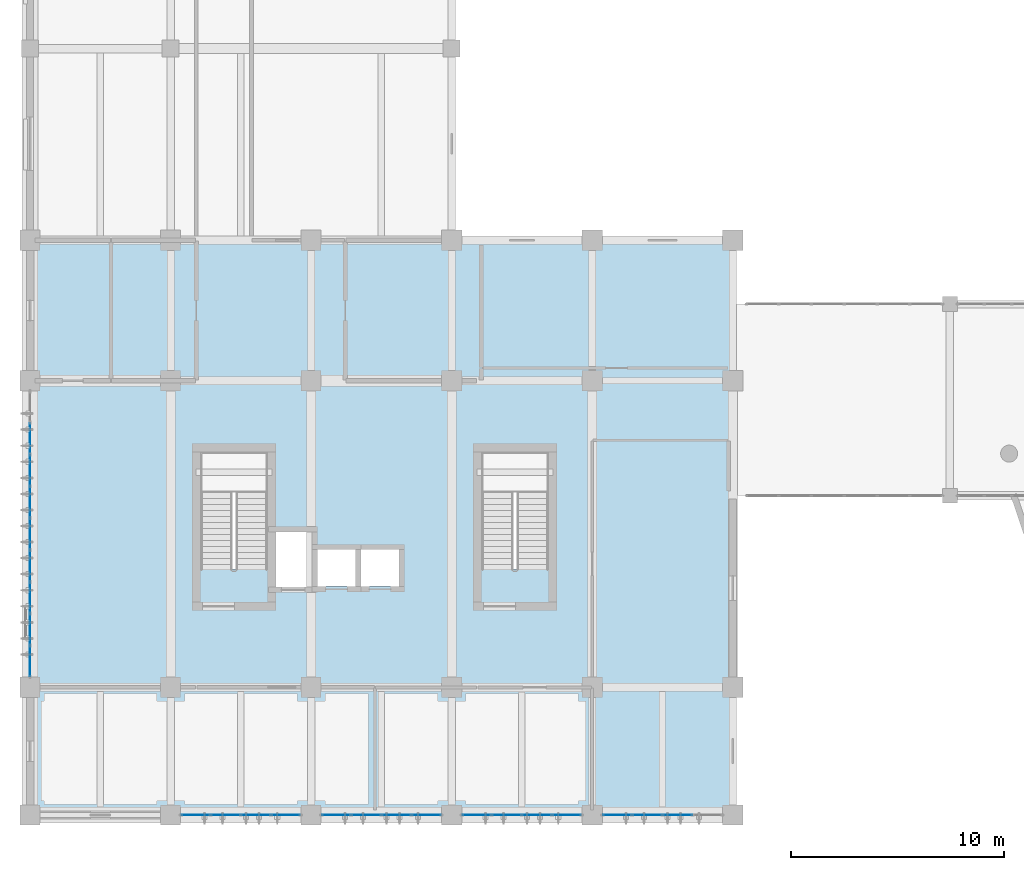
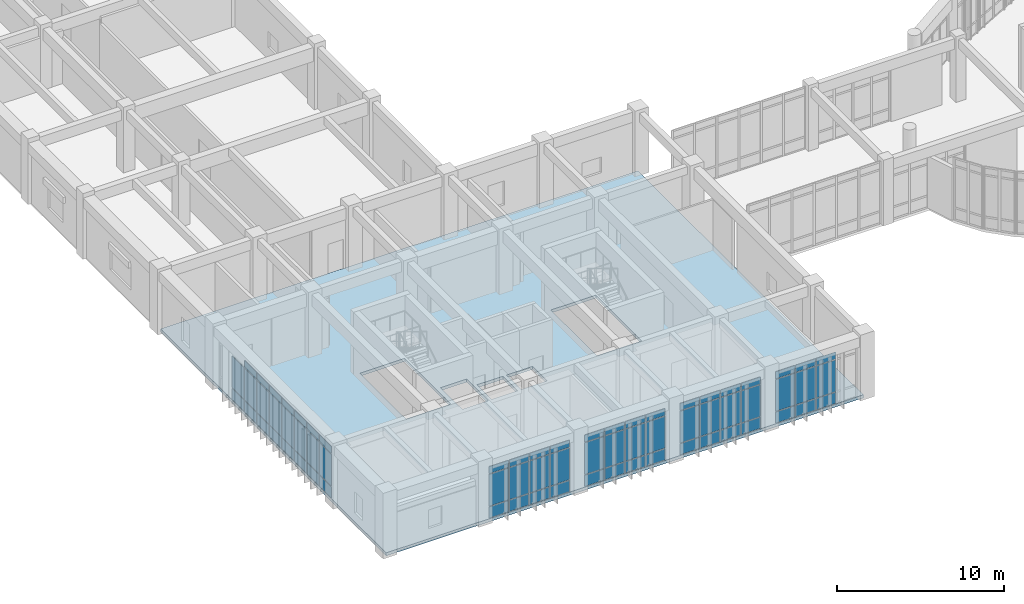
# One storey, part 36 of 65: 68 plates, 1 slab, 5 elements without a shape of their own.
"""IFC4 building model written with IfcOpenShell, lengths in metres."""

from ifc_helpers import new_model, si_unit, direction, frame, origin, origin_2d, place, context, subcontext, project, spatial, polyline, rectangle, outline, extrude, material, layer, layer_set, type_object, element, aggregate, save


model = new_model("IFC4")

# Units and contexts
model_context = context("Model", 3, precision=1e-05, world=origin(), true_north=direction((0.0, 1.0)))
body_context = subcontext(model_context, "Body", "Model", "MODEL_VIEW")
ifc_project = project(units=[si_unit("LENGTHUNIT", "METRE"), si_unit("AREAUNIT", "SQUARE_METRE"), si_unit("VOLUMEUNIT", "CUBIC_METRE"), si_unit("PLANEANGLEUNIT", "RADIAN"), si_unit("MASSUNIT", "GRAM", prefix="KILO")], contexts=[model_context])

# Site, building, storey
site_placement = place(None, origin())
site = spatial("IfcSite", under=ifc_project, at=site_placement, CompositionType="ELEMENT")
building_placement = place(site_placement, origin())
building = spatial("IfcBuilding", under=site, at=building_placement, Name="Miralva Faculty of Natural Sciences", CompositionType="ELEMENT")
storey_placement = place(building_placement, frame((0.0, 0.0, 10.199951171875)))
storey = spatial("IfcBuildingStorey", under=building, at=storey_placement, Name="L02", CompositionType="ELEMENT", Elevation=10.199951171875)

# Curtain wall, plates
ifc_material_1 = material(Name="Laminated solar-control glass", Category="glass")
ifc_layer_1 = layer(ifc_material_1, 0.179931640625, Name="CW-TWR-L01")
ifc_layer_set_1 = layer_set([ifc_layer_1], Name="Laminated solar-control glass")
curtain_wall_type = type_object("IfcCurtainWallType", Name="CW-TWR-L01", PredefinedType="USERDEFINED", material=ifc_layer_set_1)
curtain_wall_1_placement = place(storey_placement, origin())
curtain_wall_1 = element("IfcCurtainWall", 1, at=curtain_wall_1_placement, inside=storey, type_object=curtain_wall_type, Name="Curtain wall CW-13 L02-219", ObjectType="UNITISED CURTAIN WALL", PredefinedType="USERDEFINED")
ifc_layer_2 = layer(ifc_material_1, 0.028076171875, Name="PNL-P01")
ifc_layer_set_2 = layer_set([ifc_layer_2], Name="Laminated solar-control glass")
plate_type = type_object("IfcPlateType", Name="PNL-P01", PredefinedType="CURTAIN_PANEL", material=ifc_layer_set_2)
plate_1_placement = place(storey_placement, frame((10.78125, 3.0, 0.06005859375), z_axis=(0.0, 0.0, 1.0), x_axis=(1.0, 0.0, 0.0)))
plate_1 = element("IfcPlate", 2, at=plate_1_placement, type_object=plate_type, Name="CW-13 panel 1.1", PredefinedType="CURTAIN_PANEL", context=body_context, shape_type="SweptSolid", body=[
    extrude(rectangle(XDim=1.322509765625, YDim=0.028076171875, at=origin_2d()), origin(), (0.0, 0.0, 1.0), 0.81005859375),
])
plate_2_placement = place(storey_placement, frame((10.78125, 3.0, 0.93017578125), z_axis=(0.0, 0.0, 1.0), x_axis=(1.0, 0.0, 0.0)))
plate_2 = element("IfcPlate", 3, at=plate_2_placement, type_object=plate_type, Name="CW-13 panel 1.2", PredefinedType="CURTAIN_PANEL", context=body_context, shape_type="SweptSolid", body=[
    extrude(rectangle(XDim=1.322509765625, YDim=0.028076171875, at=origin_2d()), origin(), (0.0, 0.0, 1.0), 2.31494140625),
])
plate_3_placement = place(storey_placement, frame((10.78125, 3.0, 3.30517578125), z_axis=(0.0, 0.0, 1.0), x_axis=(1.0, 0.0, 0.0)))
plate_3 = element("IfcPlate", 4, at=plate_3_placement, type_object=plate_type, Name="CW-13 panel 1.3", PredefinedType="CURTAIN_PANEL", context=body_context, shape_type="SweptSolid", body=[
    extrude(rectangle(XDim=1.322509765625, YDim=0.028076171875, at=origin_2d()), origin(), (0.0, 0.0, 1.0), 0.510009765625),
])
plate_4_placement = place(storey_placement, frame((12.18505859375, 3.0, 0.06005859375), z_axis=(0.0, 0.0, 1.0), x_axis=(1.0, 0.0, 0.0)))
plate_4 = element("IfcPlate", 5, at=plate_4_placement, type_object=plate_type, Name="CW-13 panel 2.1", PredefinedType="CURTAIN_PANEL", context=body_context, shape_type="SweptSolid", body=[
    extrude(rectangle(XDim=1.35498046875, YDim=0.028076171875, at=origin_2d()), origin(), (0.0, 0.0, 1.0), 0.81005859375),
])
plate_5_placement = place(storey_placement, frame((12.18505859375, 3.0, 0.93017578125), z_axis=(0.0, 0.0, 1.0), x_axis=(1.0, 0.0, 0.0)))
plate_5 = element("IfcPlate", 6, at=plate_5_placement, type_object=plate_type, Name="CW-13 panel 2.2", PredefinedType="CURTAIN_PANEL", context=body_context, shape_type="SweptSolid", body=[
    extrude(rectangle(XDim=1.35498046875, YDim=0.028076171875, at=origin_2d()), origin(), (0.0, 0.0, 1.0), 2.31494140625),
])
plate_6_placement = place(storey_placement, frame((12.18505859375, 3.0, 3.30517578125), z_axis=(0.0, 0.0, 1.0), x_axis=(1.0, 0.0, 0.0)))
plate_6 = element("IfcPlate", 7, at=plate_6_placement, type_object=plate_type, Name="CW-13 panel 2.3", PredefinedType="CURTAIN_PANEL", context=body_context, shape_type="SweptSolid", body=[
    extrude(rectangle(XDim=1.35498046875, YDim=0.028076171875, at=origin_2d()), origin(), (0.0, 0.0, 1.0), 0.510009765625),
])
plate_7_placement = place(storey_placement, frame((13.60498046875, 3.0, 0.06005859375), z_axis=(0.0, 0.0, 1.0), x_axis=(1.0, 0.0, 0.0)))
plate_7 = element("IfcPlate", 8, at=plate_7_placement, type_object=plate_type, Name="CW-13 panel 3.1", PredefinedType="CURTAIN_PANEL", context=body_context, shape_type="SweptSolid", body=[
    extrude(rectangle(XDim=1.35498046875, YDim=0.028076171875, at=origin_2d()), origin(), (0.0, 0.0, 1.0), 0.81005859375),
])
plate_8_placement = place(storey_placement, frame((13.60498046875, 3.0, 0.93017578125), z_axis=(0.0, 0.0, 1.0), x_axis=(1.0, 0.0, 0.0)))
plate_8 = element("IfcPlate", 9, at=plate_8_placement, type_object=plate_type, Name="CW-13 panel 3.2", PredefinedType="CURTAIN_PANEL", context=body_context, shape_type="SweptSolid", body=[
    extrude(rectangle(XDim=1.35498046875, YDim=0.028076171875, at=origin_2d()), origin(), (0.0, 0.0, 1.0), 2.31494140625),
])
plate_9_placement = place(storey_placement, frame((13.60498046875, 3.0, 3.30517578125), z_axis=(0.0, 0.0, 1.0), x_axis=(1.0, 0.0, 0.0)))
plate_9 = element("IfcPlate", 10, at=plate_9_placement, type_object=plate_type, Name="CW-13 panel 3.3", PredefinedType="CURTAIN_PANEL", context=body_context, shape_type="SweptSolid", body=[
    extrude(rectangle(XDim=1.35498046875, YDim=0.028076171875, at=origin_2d()), origin(), (0.0, 0.0, 1.0), 0.510009765625),
])
plate_10_placement = place(storey_placement, frame((15.0087890625, 3.0, 0.06005859375), z_axis=(0.0, 0.0, 1.0), x_axis=(1.0, 0.0, 0.0)))
plate_10 = element("IfcPlate", 11, at=plate_10_placement, type_object=plate_type, Name="CW-13 panel 4.1", PredefinedType="CURTAIN_PANEL", context=body_context, shape_type="SweptSolid", body=[
    extrude(rectangle(XDim=1.322509765625, YDim=0.028076171875, at=origin_2d()), origin(), (0.0, 0.0, 1.0), 0.81005859375),
])
plate_11_placement = place(storey_placement, frame((15.0087890625, 3.0, 0.93017578125), z_axis=(0.0, 0.0, 1.0), x_axis=(1.0, 0.0, 0.0)))
plate_11 = element("IfcPlate", 12, at=plate_11_placement, type_object=plate_type, Name="CW-13 panel 4.2", PredefinedType="CURTAIN_PANEL", context=body_context, shape_type="SweptSolid", body=[
    extrude(rectangle(XDim=1.322509765625, YDim=0.028076171875, at=origin_2d()), origin(), (0.0, 0.0, 1.0), 2.31494140625),
])
plate_12_placement = place(storey_placement, frame((15.0087890625, 3.0, 3.30517578125), z_axis=(0.0, 0.0, 1.0), x_axis=(1.0, 0.0, 0.0)))
plate_12 = element("IfcPlate", 13, at=plate_12_placement, type_object=plate_type, Name="CW-13 panel 4.3", PredefinedType="CURTAIN_PANEL", context=body_context, shape_type="SweptSolid", body=[
    extrude(rectangle(XDim=1.322509765625, YDim=0.028076171875, at=origin_2d()), origin(), (0.0, 0.0, 1.0), 0.510009765625),
])
aggregate(curtain_wall_1, [plate_1, plate_2, plate_3, plate_4, plate_5, plate_6, plate_7, plate_8, plate_9, plate_10, plate_11, plate_12])

curtain_wall_2_placement = place(storey_placement, origin())
curtain_wall_2 = element("IfcCurtainWall", 14, at=curtain_wall_2_placement, inside=storey, type_object=curtain_wall_type, Name="Curtain wall CW-13 L02-220", ObjectType="UNITISED CURTAIN WALL", PredefinedType="USERDEFINED")
plate_13_placement = place(storey_placement, frame((17.382568359375, 3.0, 0.06005859375), z_axis=(0.0, 0.0, 1.0), x_axis=(1.0, 0.0, 0.0)))
plate_13 = element("IfcPlate", 15, at=plate_13_placement, type_object=plate_type, Name="CW-13 panel 1.1", PredefinedType="CURTAIN_PANEL", context=body_context, shape_type="SweptSolid", body=[
    extrude(rectangle(XDim=1.324951171875, YDim=0.028076171875, at=origin_2d()), origin(), (0.0, 0.0, 1.0), 0.81005859375),
])
plate_14_placement = place(storey_placement, frame((17.382568359375, 3.0, 0.93017578125), z_axis=(0.0, 0.0, 1.0), x_axis=(1.0, 0.0, 0.0)))
plate_14 = element("IfcPlate", 16, at=plate_14_placement, type_object=plate_type, Name="CW-13 panel 1.2", PredefinedType="CURTAIN_PANEL", context=body_context, shape_type="SweptSolid", body=[
    extrude(rectangle(XDim=1.324951171875, YDim=0.028076171875, at=origin_2d()), origin(), (0.0, 0.0, 1.0), 2.31494140625),
])
plate_15_placement = place(storey_placement, frame((17.382568359375, 3.0, 3.30517578125), z_axis=(0.0, 0.0, 1.0), x_axis=(1.0, 0.0, 0.0)))
plate_15 = element("IfcPlate", 17, at=plate_15_placement, type_object=plate_type, Name="CW-13 panel 1.3", PredefinedType="CURTAIN_PANEL", context=body_context, shape_type="SweptSolid", body=[
    extrude(rectangle(XDim=1.324951171875, YDim=0.028076171875, at=origin_2d()), origin(), (0.0, 0.0, 1.0), 0.510009765625),
])
plate_16_placement = place(storey_placement, frame((18.788818359375, 3.0, 0.06005859375), z_axis=(0.0, 0.0, 1.0), x_axis=(1.0, 0.0, 0.0)))
plate_16 = element("IfcPlate", 18, at=plate_16_placement, type_object=plate_type, Name="CW-13 panel 2.1", PredefinedType="CURTAIN_PANEL", context=body_context, shape_type="SweptSolid", body=[
    extrude(rectangle(XDim=1.357421875, YDim=0.028076171875, at=origin_2d()), origin(), (0.0, 0.0, 1.0), 0.81005859375),
])
plate_17_placement = place(storey_placement, frame((18.788818359375, 3.0, 0.93017578125), z_axis=(0.0, 0.0, 1.0), x_axis=(1.0, 0.0, 0.0)))
plate_17 = element("IfcPlate", 19, at=plate_17_placement, type_object=plate_type, Name="CW-13 panel 2.2", PredefinedType="CURTAIN_PANEL", context=body_context, shape_type="SweptSolid", body=[
    extrude(rectangle(XDim=1.357421875, YDim=0.028076171875, at=origin_2d()), origin(), (0.0, 0.0, 1.0), 2.31494140625),
])
plate_18_placement = place(storey_placement, frame((18.788818359375, 3.0, 3.30517578125), z_axis=(0.0, 0.0, 1.0), x_axis=(1.0, 0.0, 0.0)))
plate_18 = element("IfcPlate", 20, at=plate_18_placement, type_object=plate_type, Name="CW-13 panel 2.3", PredefinedType="CURTAIN_PANEL", context=body_context, shape_type="SweptSolid", body=[
    extrude(rectangle(XDim=1.357421875, YDim=0.028076171875, at=origin_2d()), origin(), (0.0, 0.0, 1.0), 0.510009765625),
])
plate_19_placement = place(storey_placement, frame((20.211181640625, 3.0, 0.06005859375), z_axis=(0.0, 0.0, 1.0), x_axis=(1.0, 0.0, 0.0)))
plate_19 = element("IfcPlate", 21, at=plate_19_placement, type_object=plate_type, Name="CW-13 panel 3.1", PredefinedType="CURTAIN_PANEL", context=body_context, shape_type="SweptSolid", body=[
    extrude(rectangle(XDim=1.357421875, YDim=0.028076171875, at=origin_2d()), origin(), (0.0, 0.0, 1.0), 0.81005859375),
])
plate_20_placement = place(storey_placement, frame((20.211181640625, 3.0, 0.93017578125), z_axis=(0.0, 0.0, 1.0), x_axis=(1.0, 0.0, 0.0)))
plate_20 = element("IfcPlate", 22, at=plate_20_placement, type_object=plate_type, Name="CW-13 panel 3.2", PredefinedType="CURTAIN_PANEL", context=body_context, shape_type="SweptSolid", body=[
    extrude(rectangle(XDim=1.357421875, YDim=0.028076171875, at=origin_2d()), origin(), (0.0, 0.0, 1.0), 2.31494140625),
])
plate_21_placement = place(storey_placement, frame((20.211181640625, 3.0, 3.30517578125), z_axis=(0.0, 0.0, 1.0), x_axis=(1.0, 0.0, 0.0)))
plate_21 = element("IfcPlate", 23, at=plate_21_placement, type_object=plate_type, Name="CW-13 panel 3.3", PredefinedType="CURTAIN_PANEL", context=body_context, shape_type="SweptSolid", body=[
    extrude(rectangle(XDim=1.357421875, YDim=0.028076171875, at=origin_2d()), origin(), (0.0, 0.0, 1.0), 0.510009765625),
])
plate_22_placement = place(storey_placement, frame((21.617431640625, 3.0, 0.06005859375), z_axis=(0.0, 0.0, 1.0), x_axis=(1.0, 0.0, 0.0)))
plate_22 = element("IfcPlate", 24, at=plate_22_placement, type_object=plate_type, Name="CW-13 panel 4.1", PredefinedType="CURTAIN_PANEL", context=body_context, shape_type="SweptSolid", body=[
    extrude(rectangle(XDim=1.324951171875, YDim=0.028076171875, at=origin_2d()), origin(), (0.0, 0.0, 1.0), 0.81005859375),
])
plate_23_placement = place(storey_placement, frame((21.617431640625, 3.0, 0.93017578125), z_axis=(0.0, 0.0, 1.0), x_axis=(1.0, 0.0, 0.0)))
plate_23 = element("IfcPlate", 25, at=plate_23_placement, type_object=plate_type, Name="CW-13 panel 4.2", PredefinedType="CURTAIN_PANEL", context=body_context, shape_type="SweptSolid", body=[
    extrude(rectangle(XDim=1.324951171875, YDim=0.028076171875, at=origin_2d()), origin(), (0.0, 0.0, 1.0), 2.31494140625),
])
plate_24_placement = place(storey_placement, frame((21.617431640625, 3.0, 3.30517578125), z_axis=(0.0, 0.0, 1.0), x_axis=(1.0, 0.0, 0.0)))
plate_24 = element("IfcPlate", 26, at=plate_24_placement, type_object=plate_type, Name="CW-13 panel 4.3", PredefinedType="CURTAIN_PANEL", context=body_context, shape_type="SweptSolid", body=[
    extrude(rectangle(XDim=1.324951171875, YDim=0.028076171875, at=origin_2d()), origin(), (0.0, 0.0, 1.0), 0.510009765625),
])
aggregate(curtain_wall_2, [plate_13, plate_14, plate_15, plate_16, plate_17, plate_18, plate_19, plate_20, plate_21, plate_22, plate_23, plate_24])

curtain_wall_3_placement = place(storey_placement, origin())
curtain_wall_3 = element("IfcCurtainWall", 27, at=curtain_wall_3_placement, inside=storey, type_object=curtain_wall_type, Name="Curtain wall CW-13 L02-221", ObjectType="UNITISED CURTAIN WALL", PredefinedType="USERDEFINED")
plate_25_placement = place(storey_placement, frame((23.981201171875, 3.0, 0.06005859375), z_axis=(0.0, 0.0, 1.0), x_axis=(1.0, 0.0, 0.0)))
plate_25 = element("IfcPlate", 28, at=plate_25_placement, type_object=plate_type, Name="CW-13 panel 1.1", PredefinedType="CURTAIN_PANEL", context=body_context, shape_type="SweptSolid", body=[
    extrude(rectangle(XDim=1.322509765625, YDim=0.028076171875, at=origin_2d()), origin(), (0.0, 0.0, 1.0), 0.81005859375),
])
plate_26_placement = place(storey_placement, frame((23.981201171875, 3.0, 0.93017578125), z_axis=(0.0, 0.0, 1.0), x_axis=(1.0, 0.0, 0.0)))
plate_26 = element("IfcPlate", 29, at=plate_26_placement, type_object=plate_type, Name="CW-13 panel 1.2", PredefinedType="CURTAIN_PANEL", context=body_context, shape_type="SweptSolid", body=[
    extrude(rectangle(XDim=1.322509765625, YDim=0.028076171875, at=origin_2d()), origin(), (0.0, 0.0, 1.0), 2.31494140625),
])
plate_27_placement = place(storey_placement, frame((23.981201171875, 3.0, 3.30517578125), z_axis=(0.0, 0.0, 1.0), x_axis=(1.0, 0.0, 0.0)))
plate_27 = element("IfcPlate", 30, at=plate_27_placement, type_object=plate_type, Name="CW-13 panel 1.3", PredefinedType="CURTAIN_PANEL", context=body_context, shape_type="SweptSolid", body=[
    extrude(rectangle(XDim=1.322509765625, YDim=0.028076171875, at=origin_2d()), origin(), (0.0, 0.0, 1.0), 0.510009765625),
])
plate_28_placement = place(storey_placement, frame((25.385009765625, 3.0, 0.06005859375), z_axis=(0.0, 0.0, 1.0), x_axis=(1.0, 0.0, 0.0)))
plate_28 = element("IfcPlate", 31, at=plate_28_placement, type_object=plate_type, Name="CW-13 panel 2.1", PredefinedType="CURTAIN_PANEL", context=body_context, shape_type="SweptSolid", body=[
    extrude(rectangle(XDim=1.35498046875, YDim=0.028076171875, at=origin_2d()), origin(), (0.0, 0.0, 1.0), 0.81005859375),
])
plate_29_placement = place(storey_placement, frame((25.385009765625, 3.0, 0.93017578125), z_axis=(0.0, 0.0, 1.0), x_axis=(1.0, 0.0, 0.0)))
plate_29 = element("IfcPlate", 32, at=plate_29_placement, type_object=plate_type, Name="CW-13 panel 2.2", PredefinedType="CURTAIN_PANEL", context=body_context, shape_type="SweptSolid", body=[
    extrude(rectangle(XDim=1.35498046875, YDim=0.028076171875, at=origin_2d()), origin(), (0.0, 0.0, 1.0), 2.31494140625),
])
plate_30_placement = place(storey_placement, frame((25.385009765625, 3.0, 3.30517578125), z_axis=(0.0, 0.0, 1.0), x_axis=(1.0, 0.0, 0.0)))
plate_30 = element("IfcPlate", 33, at=plate_30_placement, type_object=plate_type, Name="CW-13 panel 2.3", PredefinedType="CURTAIN_PANEL", context=body_context, shape_type="SweptSolid", body=[
    extrude(rectangle(XDim=1.35498046875, YDim=0.028076171875, at=origin_2d()), origin(), (0.0, 0.0, 1.0), 0.510009765625),
])
plate_31_placement = place(storey_placement, frame((26.804931640625, 3.0, 0.06005859375), z_axis=(0.0, 0.0, 1.0), x_axis=(1.0, 0.0, 0.0)))
plate_31 = element("IfcPlate", 34, at=plate_31_placement, type_object=plate_type, Name="CW-13 panel 3.1", PredefinedType="CURTAIN_PANEL", context=body_context, shape_type="SweptSolid", body=[
    extrude(rectangle(XDim=1.35498046875, YDim=0.028076171875, at=origin_2d()), origin(), (0.0, 0.0, 1.0), 0.81005859375),
])
plate_32_placement = place(storey_placement, frame((26.804931640625, 3.0, 0.93017578125), z_axis=(0.0, 0.0, 1.0), x_axis=(1.0, 0.0, 0.0)))
plate_32 = element("IfcPlate", 35, at=plate_32_placement, type_object=plate_type, Name="CW-13 panel 3.2", PredefinedType="CURTAIN_PANEL", context=body_context, shape_type="SweptSolid", body=[
    extrude(rectangle(XDim=1.35498046875, YDim=0.028076171875, at=origin_2d()), origin(), (0.0, 0.0, 1.0), 2.31494140625),
])
plate_33_placement = place(storey_placement, frame((26.804931640625, 3.0, 3.30517578125), z_axis=(0.0, 0.0, 1.0), x_axis=(1.0, 0.0, 0.0)))
plate_33 = element("IfcPlate", 36, at=plate_33_placement, type_object=plate_type, Name="CW-13 panel 3.3", PredefinedType="CURTAIN_PANEL", context=body_context, shape_type="SweptSolid", body=[
    extrude(rectangle(XDim=1.35498046875, YDim=0.028076171875, at=origin_2d()), origin(), (0.0, 0.0, 1.0), 0.510009765625),
])
plate_34_placement = place(storey_placement, frame((28.208740234375, 3.0, 0.06005859375), z_axis=(0.0, 0.0, 1.0), x_axis=(1.0, 0.0, 0.0)))
plate_34 = element("IfcPlate", 37, at=plate_34_placement, type_object=plate_type, Name="CW-13 panel 4.1", PredefinedType="CURTAIN_PANEL", context=body_context, shape_type="SweptSolid", body=[
    extrude(rectangle(XDim=1.322509765625, YDim=0.028076171875, at=origin_2d()), origin(), (0.0, 0.0, 1.0), 0.81005859375),
])
plate_35_placement = place(storey_placement, frame((28.208740234375, 3.0, 0.93017578125), z_axis=(0.0, 0.0, 1.0), x_axis=(1.0, 0.0, 0.0)))
plate_35 = element("IfcPlate", 38, at=plate_35_placement, type_object=plate_type, Name="CW-13 panel 4.2", PredefinedType="CURTAIN_PANEL", context=body_context, shape_type="SweptSolid", body=[
    extrude(rectangle(XDim=1.322509765625, YDim=0.028076171875, at=origin_2d()), origin(), (0.0, 0.0, 1.0), 2.31494140625),
])
plate_36_placement = place(storey_placement, frame((28.208740234375, 3.0, 3.30517578125), z_axis=(0.0, 0.0, 1.0), x_axis=(1.0, 0.0, 0.0)))
plate_36 = element("IfcPlate", 39, at=plate_36_placement, type_object=plate_type, Name="CW-13 panel 4.3", PredefinedType="CURTAIN_PANEL", context=body_context, shape_type="SweptSolid", body=[
    extrude(rectangle(XDim=1.322509765625, YDim=0.028076171875, at=origin_2d()), origin(), (0.0, 0.0, 1.0), 0.510009765625),
])
aggregate(curtain_wall_3, [plate_25, plate_26, plate_27, plate_28, plate_29, plate_30, plate_31, plate_32, plate_33, plate_34, plate_35, plate_36])

curtain_wall_4_placement = place(storey_placement, origin())
curtain_wall_4 = element("IfcCurtainWall", 40, at=curtain_wall_4_placement, inside=storey, type_object=curtain_wall_type, Name="Curtain wall CW-13 L02-222", ObjectType="UNITISED CURTAIN WALL", PredefinedType="USERDEFINED")
plate_37_placement = place(storey_placement, frame((30.58251953125, 3.0, 0.06005859375), z_axis=(0.0, 0.0, 1.0), x_axis=(1.0, 0.0, 0.0)))
plate_37 = element("IfcPlate", 41, at=plate_37_placement, type_object=plate_type, Name="CW-13 panel 1.1", PredefinedType="CURTAIN_PANEL", context=body_context, shape_type="SweptSolid", body=[
    extrude(rectangle(XDim=1.324951171875, YDim=0.028076171875, at=origin_2d()), origin(), (0.0, 0.0, 1.0), 0.81005859375),
])
plate_38_placement = place(storey_placement, frame((30.58251953125, 3.0, 0.93017578125), z_axis=(0.0, 0.0, 1.0), x_axis=(1.0, 0.0, 0.0)))
plate_38 = element("IfcPlate", 42, at=plate_38_placement, type_object=plate_type, Name="CW-13 panel 1.2", PredefinedType="CURTAIN_PANEL", context=body_context, shape_type="SweptSolid", body=[
    extrude(rectangle(XDim=1.324951171875, YDim=0.028076171875, at=origin_2d()), origin(), (0.0, 0.0, 1.0), 2.31494140625),
])
plate_39_placement = place(storey_placement, frame((30.58251953125, 3.0, 3.30517578125), z_axis=(0.0, 0.0, 1.0), x_axis=(1.0, 0.0, 0.0)))
plate_39 = element("IfcPlate", 43, at=plate_39_placement, type_object=plate_type, Name="CW-13 panel 1.3", PredefinedType="CURTAIN_PANEL", context=body_context, shape_type="SweptSolid", body=[
    extrude(rectangle(XDim=1.324951171875, YDim=0.028076171875, at=origin_2d()), origin(), (0.0, 0.0, 1.0), 0.510009765625),
])
plate_40_placement = place(storey_placement, frame((31.98876953125, 3.0, 0.06005859375), z_axis=(0.0, 0.0, 1.0), x_axis=(1.0, 0.0, 0.0)))
plate_40 = element("IfcPlate", 44, at=plate_40_placement, type_object=plate_type, Name="CW-13 panel 2.1", PredefinedType="CURTAIN_PANEL", context=body_context, shape_type="SweptSolid", body=[
    extrude(rectangle(XDim=1.357421875, YDim=0.028076171875, at=origin_2d()), origin(), (0.0, 0.0, 1.0), 0.81005859375),
])
plate_41_placement = place(storey_placement, frame((31.98876953125, 3.0, 0.93017578125), z_axis=(0.0, 0.0, 1.0), x_axis=(1.0, 0.0, 0.0)))
plate_41 = element("IfcPlate", 45, at=plate_41_placement, type_object=plate_type, Name="CW-13 panel 2.2", PredefinedType="CURTAIN_PANEL", context=body_context, shape_type="SweptSolid", body=[
    extrude(rectangle(XDim=1.357421875, YDim=0.028076171875, at=origin_2d()), origin(), (0.0, 0.0, 1.0), 2.31494140625),
])
plate_42_placement = place(storey_placement, frame((31.98876953125, 3.0, 3.30517578125), z_axis=(0.0, 0.0, 1.0), x_axis=(1.0, 0.0, 0.0)))
plate_42 = element("IfcPlate", 46, at=plate_42_placement, type_object=plate_type, Name="CW-13 panel 2.3", PredefinedType="CURTAIN_PANEL", context=body_context, shape_type="SweptSolid", body=[
    extrude(rectangle(XDim=1.357421875, YDim=0.028076171875, at=origin_2d()), origin(), (0.0, 0.0, 1.0), 0.510009765625),
])
plate_43_placement = place(storey_placement, frame((33.4111328125, 3.0, 0.06005859375), z_axis=(0.0, 0.0, 1.0), x_axis=(1.0, 0.0, 0.0)))
plate_43 = element("IfcPlate", 47, at=plate_43_placement, type_object=plate_type, Name="CW-13 panel 3.1", PredefinedType="CURTAIN_PANEL", context=body_context, shape_type="SweptSolid", body=[
    extrude(rectangle(XDim=1.357421875, YDim=0.028076171875, at=origin_2d()), origin(), (0.0, 0.0, 1.0), 0.81005859375),
])
plate_44_placement = place(storey_placement, frame((33.4111328125, 3.0, 0.93017578125), z_axis=(0.0, 0.0, 1.0), x_axis=(1.0, 0.0, 0.0)))
plate_44 = element("IfcPlate", 48, at=plate_44_placement, type_object=plate_type, Name="CW-13 panel 3.2", PredefinedType="CURTAIN_PANEL", context=body_context, shape_type="SweptSolid", body=[
    extrude(rectangle(XDim=1.357421875, YDim=0.028076171875, at=origin_2d()), origin(), (0.0, 0.0, 1.0), 2.31494140625),
])
plate_45_placement = place(storey_placement, frame((33.4111328125, 3.0, 3.30517578125), z_axis=(0.0, 0.0, 1.0), x_axis=(1.0, 0.0, 0.0)))
plate_45 = element("IfcPlate", 49, at=plate_45_placement, type_object=plate_type, Name="CW-13 panel 3.3", PredefinedType="CURTAIN_PANEL", context=body_context, shape_type="SweptSolid", body=[
    extrude(rectangle(XDim=1.357421875, YDim=0.028076171875, at=origin_2d()), origin(), (0.0, 0.0, 1.0), 0.510009765625),
])
aggregate(curtain_wall_4, [plate_37, plate_38, plate_39, plate_40, plate_41, plate_42, plate_43, plate_44, plate_45])

curtain_wall_5_placement = place(storey_placement, origin())
curtain_wall_5 = element("IfcCurtainWall", 50, at=curtain_wall_5_placement, inside=storey, type_object=curtain_wall_type, Name="Curtain wall CW-13 L02-223", ObjectType="UNITISED CURTAIN WALL", PredefinedType="USERDEFINED")
plate_46_placement = place(storey_placement, frame((3.0, 10.2294921875, 0.06005859375), z_axis=(0.0, 0.0, 1.0), x_axis=(0.0, 1.0, 0.0)))
plate_46 = element("IfcPlate", 51, at=plate_46_placement, type_object=plate_type, Name="CW-13 panel 1.1", PredefinedType="CURTAIN_PANEL", context=body_context, shape_type="SweptSolid", body=[
    extrude(rectangle(XDim=1.399169921875, YDim=0.028076171875, at=origin_2d()), origin(), (0.0, 0.0, 1.0), 0.81005859375),
])
plate_47_placement = place(storey_placement, frame((3.0, 10.2294921875, 0.93017578125), z_axis=(0.0, 0.0, 1.0), x_axis=(0.0, 1.0, 0.0)))
plate_47 = element("IfcPlate", 52, at=plate_47_placement, type_object=plate_type, Name="CW-13 panel 1.2", PredefinedType="CURTAIN_PANEL", context=body_context, shape_type="SweptSolid", body=[
    extrude(rectangle(XDim=1.399169921875, YDim=0.028076171875, at=origin_2d()), origin(), (0.0, 0.0, 1.0), 2.31494140625),
])
plate_48_placement = place(storey_placement, frame((3.0, 10.2294921875, 3.30517578125), z_axis=(0.0, 0.0, 1.0), x_axis=(0.0, 1.0, 0.0)))
plate_48 = element("IfcPlate", 53, at=plate_48_placement, type_object=plate_type, Name="CW-13 panel 1.3", PredefinedType="CURTAIN_PANEL", context=body_context, shape_type="SweptSolid", body=[
    extrude(rectangle(XDim=1.399169921875, YDim=0.028076171875, at=origin_2d()), origin(), (0.0, 0.0, 1.0), 0.510009765625),
])
plate_49_placement = place(storey_placement, frame((3.0, 11.7099609375, 0.06005859375), z_axis=(0.0, 0.0, 1.0), x_axis=(0.0, 1.0, 0.0)))
plate_49 = element("IfcPlate", 54, at=plate_49_placement, type_object=plate_type, Name="CW-13 panel 2.1", PredefinedType="CURTAIN_PANEL", context=body_context, shape_type="SweptSolid", body=[
    extrude(rectangle(XDim=1.431640625, YDim=0.028076171875, at=origin_2d()), origin(), (0.0, 0.0, 1.0), 0.81005859375),
])
plate_50_placement = place(storey_placement, frame((3.0, 11.7099609375, 0.93017578125), z_axis=(0.0, 0.0, 1.0), x_axis=(0.0, 1.0, 0.0)))
plate_50 = element("IfcPlate", 55, at=plate_50_placement, type_object=plate_type, Name="CW-13 panel 2.2", PredefinedType="CURTAIN_PANEL", context=body_context, shape_type="SweptSolid", body=[
    extrude(rectangle(XDim=1.431640625, YDim=0.028076171875, at=origin_2d()), origin(), (0.0, 0.0, 1.0), 2.31494140625),
])
plate_51_placement = place(storey_placement, frame((3.0, 11.7099609375, 3.30517578125), z_axis=(0.0, 0.0, 1.0), x_axis=(0.0, 1.0, 0.0)))
plate_51 = element("IfcPlate", 56, at=plate_51_placement, type_object=plate_type, Name="CW-13 panel 2.3", PredefinedType="CURTAIN_PANEL", context=body_context, shape_type="SweptSolid", body=[
    extrude(rectangle(XDim=1.431640625, YDim=0.028076171875, at=origin_2d()), origin(), (0.0, 0.0, 1.0), 0.510009765625),
])
plate_52_placement = place(storey_placement, frame((3.0, 13.206787109375, 0.06005859375), z_axis=(0.0, 0.0, 1.0), x_axis=(0.0, 1.0, 0.0)))
plate_52 = element("IfcPlate", 57, at=plate_52_placement, type_object=plate_type, Name="CW-13 panel 3.1", PredefinedType="CURTAIN_PANEL", context=body_context, shape_type="SweptSolid", body=[
    extrude(rectangle(XDim=1.431640625, YDim=0.028076171875, at=origin_2d()), origin(), (0.0, 0.0, 1.0), 0.81005859375),
])
plate_53_placement = place(storey_placement, frame((3.0, 13.206787109375, 0.93017578125), z_axis=(0.0, 0.0, 1.0), x_axis=(0.0, 1.0, 0.0)))
plate_53 = element("IfcPlate", 58, at=plate_53_placement, type_object=plate_type, Name="CW-13 panel 3.2", PredefinedType="CURTAIN_PANEL", context=body_context, shape_type="SweptSolid", body=[
    extrude(rectangle(XDim=1.431640625, YDim=0.028076171875, at=origin_2d()), origin(), (0.0, 0.0, 1.0), 2.31494140625),
])
plate_54_placement = place(storey_placement, frame((3.0, 13.206787109375, 3.30517578125), z_axis=(0.0, 0.0, 1.0), x_axis=(0.0, 1.0, 0.0)))
plate_54 = element("IfcPlate", 59, at=plate_54_placement, type_object=plate_type, Name="CW-13 panel 3.3", PredefinedType="CURTAIN_PANEL", context=body_context, shape_type="SweptSolid", body=[
    extrude(rectangle(XDim=1.431640625, YDim=0.028076171875, at=origin_2d()), origin(), (0.0, 0.0, 1.0), 0.510009765625),
])
plate_55_placement = place(storey_placement, frame((3.0, 14.703369140625, 0.06005859375), z_axis=(0.0, 0.0, 1.0), x_axis=(0.0, 1.0, 0.0)))
plate_55 = element("IfcPlate", 60, at=plate_55_placement, type_object=plate_type, Name="CW-13 panel 4.1", PredefinedType="CURTAIN_PANEL", context=body_context, shape_type="SweptSolid", body=[
    extrude(rectangle(XDim=1.431640625, YDim=0.028076171875, at=origin_2d()), origin(), (0.0, 0.0, 1.0), 0.81005859375),
])
plate_56_placement = place(storey_placement, frame((3.0, 14.703369140625, 0.93017578125), z_axis=(0.0, 0.0, 1.0), x_axis=(0.0, 1.0, 0.0)))
plate_56 = element("IfcPlate", 61, at=plate_56_placement, type_object=plate_type, Name="CW-13 panel 4.2", PredefinedType="CURTAIN_PANEL", context=body_context, shape_type="SweptSolid", body=[
    extrude(rectangle(XDim=1.431640625, YDim=0.028076171875, at=origin_2d()), origin(), (0.0, 0.0, 1.0), 2.31494140625),
])
plate_57_placement = place(storey_placement, frame((3.0, 14.703369140625, 3.30517578125), z_axis=(0.0, 0.0, 1.0), x_axis=(0.0, 1.0, 0.0)))
plate_57 = element("IfcPlate", 62, at=plate_57_placement, type_object=plate_type, Name="CW-13 panel 4.3", PredefinedType="CURTAIN_PANEL", context=body_context, shape_type="SweptSolid", body=[
    extrude(rectangle(XDim=1.431640625, YDim=0.028076171875, at=origin_2d()), origin(), (0.0, 0.0, 1.0), 0.510009765625),
])
plate_58_placement = place(storey_placement, frame((3.0, 16.199951171875, 0.06005859375), z_axis=(0.0, 0.0, 1.0), x_axis=(0.0, 1.0, 0.0)))
plate_58 = element("IfcPlate", 63, at=plate_58_placement, type_object=plate_type, Name="CW-13 panel 5.1", PredefinedType="CURTAIN_PANEL", context=body_context, shape_type="SweptSolid", body=[
    extrude(rectangle(XDim=1.431640625, YDim=0.028076171875, at=origin_2d()), origin(), (0.0, 0.0, 1.0), 0.81005859375),
])
plate_59_placement = place(storey_placement, frame((3.0, 16.199951171875, 0.93017578125), z_axis=(0.0, 0.0, 1.0), x_axis=(0.0, 1.0, 0.0)))
plate_59 = element("IfcPlate", 64, at=plate_59_placement, type_object=plate_type, Name="CW-13 panel 5.2", PredefinedType="CURTAIN_PANEL", context=body_context, shape_type="SweptSolid", body=[
    extrude(rectangle(XDim=1.431640625, YDim=0.028076171875, at=origin_2d()), origin(), (0.0, 0.0, 1.0), 2.31494140625),
])
plate_60_placement = place(storey_placement, frame((3.0, 16.199951171875, 3.30517578125), z_axis=(0.0, 0.0, 1.0), x_axis=(0.0, 1.0, 0.0)))
plate_60 = element("IfcPlate", 65, at=plate_60_placement, type_object=plate_type, Name="CW-13 panel 5.3", PredefinedType="CURTAIN_PANEL", context=body_context, shape_type="SweptSolid", body=[
    extrude(rectangle(XDim=1.431640625, YDim=0.028076171875, at=origin_2d()), origin(), (0.0, 0.0, 1.0), 0.510009765625),
])
plate_61_placement = place(storey_placement, frame((3.0, 17.69677734375, 0.06005859375), z_axis=(0.0, 0.0, 1.0), x_axis=(0.0, 1.0, 0.0)))
plate_61 = element("IfcPlate", 66, at=plate_61_placement, type_object=plate_type, Name="CW-13 panel 6.1", PredefinedType="CURTAIN_PANEL", context=body_context, shape_type="SweptSolid", body=[
    extrude(rectangle(XDim=1.431640625, YDim=0.028076171875, at=origin_2d()), origin(), (0.0, 0.0, 1.0), 0.81005859375),
])
plate_62_placement = place(storey_placement, frame((3.0, 17.69677734375, 0.93017578125), z_axis=(0.0, 0.0, 1.0), x_axis=(0.0, 1.0, 0.0)))
plate_62 = element("IfcPlate", 67, at=plate_62_placement, type_object=plate_type, Name="CW-13 panel 6.2", PredefinedType="CURTAIN_PANEL", context=body_context, shape_type="SweptSolid", body=[
    extrude(rectangle(XDim=1.431640625, YDim=0.028076171875, at=origin_2d()), origin(), (0.0, 0.0, 1.0), 2.31494140625),
])
plate_63_placement = place(storey_placement, frame((3.0, 17.69677734375, 3.30517578125), z_axis=(0.0, 0.0, 1.0), x_axis=(0.0, 1.0, 0.0)))
plate_63 = element("IfcPlate", 68, at=plate_63_placement, type_object=plate_type, Name="CW-13 panel 6.3", PredefinedType="CURTAIN_PANEL", context=body_context, shape_type="SweptSolid", body=[
    extrude(rectangle(XDim=1.431640625, YDim=0.028076171875, at=origin_2d()), origin(), (0.0, 0.0, 1.0), 0.510009765625),
])
plate_64_placement = place(storey_placement, frame((3.0, 19.193359375, 0.06005859375), z_axis=(0.0, 0.0, 1.0), x_axis=(0.0, 1.0, 0.0)))
plate_64 = element("IfcPlate", 69, at=plate_64_placement, type_object=plate_type, Name="CW-13 panel 7.1", PredefinedType="CURTAIN_PANEL", context=body_context, shape_type="SweptSolid", body=[
    extrude(rectangle(XDim=1.431640625, YDim=0.028076171875, at=origin_2d()), origin(), (0.0, 0.0, 1.0), 0.81005859375),
])
plate_65_placement = place(storey_placement, frame((3.0, 19.193359375, 0.93017578125), z_axis=(0.0, 0.0, 1.0), x_axis=(0.0, 1.0, 0.0)))
plate_65 = element("IfcPlate", 70, at=plate_65_placement, type_object=plate_type, Name="CW-13 panel 7.2", PredefinedType="CURTAIN_PANEL", context=body_context, shape_type="SweptSolid", body=[
    extrude(rectangle(XDim=1.431640625, YDim=0.028076171875, at=origin_2d()), origin(), (0.0, 0.0, 1.0), 2.31494140625),
])
plate_66_placement = place(storey_placement, frame((3.0, 19.193359375, 3.30517578125), z_axis=(0.0, 0.0, 1.0), x_axis=(0.0, 1.0, 0.0)))
plate_66 = element("IfcPlate", 71, at=plate_66_placement, type_object=plate_type, Name="CW-13 panel 7.3", PredefinedType="CURTAIN_PANEL", context=body_context, shape_type="SweptSolid", body=[
    extrude(rectangle(XDim=1.431640625, YDim=0.028076171875, at=origin_2d()), origin(), (0.0, 0.0, 1.0), 0.510009765625),
])
plate_67_placement = place(storey_placement, frame((3.0, 20.68994140625, 0.06005859375), z_axis=(0.0, 0.0, 1.0), x_axis=(0.0, 1.0, 0.0)))
plate_67 = element("IfcPlate", 72, at=plate_67_placement, type_object=plate_type, Name="CW-13 panel 8.1", PredefinedType="CURTAIN_PANEL", context=body_context, shape_type="SweptSolid", body=[
    extrude(rectangle(XDim=1.431640625, YDim=0.028076171875, at=origin_2d()), origin(), (0.0, 0.0, 1.0), 0.81005859375),
])
plate_68_placement = place(storey_placement, frame((3.0, 20.68994140625, 0.93017578125), z_axis=(0.0, 0.0, 1.0), x_axis=(0.0, 1.0, 0.0)))
plate_68 = element("IfcPlate", 73, at=plate_68_placement, type_object=plate_type, Name="CW-13 panel 8.2", PredefinedType="CURTAIN_PANEL", context=body_context, shape_type="SweptSolid", body=[
    extrude(rectangle(XDim=1.431640625, YDim=0.028076171875, at=origin_2d()), origin(), (0.0, 0.0, 1.0), 2.31494140625),
])
aggregate(curtain_wall_5, [plate_46, plate_47, plate_48, plate_49, plate_50, plate_51, plate_52, plate_53, plate_54, plate_55, plate_56, plate_57, plate_58, plate_59, plate_60, plate_61, plate_62, plate_63, plate_64, plate_65, plate_66, plate_67, plate_68])

# Slab
ifc_material_2 = material(Name="Concrete C40/50", Category="concrete")
ifc_layer_3 = layer(ifc_material_2, 0.219970703125, Name="SL-FL04")
ifc_layer_set_3 = layer_set([ifc_layer_3], Name="Concrete C40/50")
slab_type = type_object("IfcSlabType", Name="SL-FL04", PredefinedType="FLOOR", material=ifc_layer_set_3)
slab_placement = place(storey_placement, frame((0.0, 0.0, -0.219970703125)))
element("IfcSlab", 74, at=slab_placement, inside=storey, type_object=slab_type, Name="V5 L02 floor slab", PredefinedType="FLOOR", context=body_context, shape_type="SweptSolid", body=[
    extrude(outline(polyline([(36.0, 3.0), (3.0, 3.0), (3.0, 30.0), (36.0, 30.0), (36.0, 3.0)]), holes=[polyline([(14.125, 14.52490234375), (11.02490234375, 14.52490234375), (11.02490234375, 20.02490234375), (14.125, 20.02490234375), (14.125, 14.52490234375)]), polyline([(16.25, 13.699951171875), (14.449951171875, 13.699951171875), (14.449951171875, 16.300048828125), (16.25, 16.300048828125), (16.25, 13.699951171875)]), polyline([(18.2900390625, 13.72509765625), (16.489990234375, 13.72509765625), (16.489990234375, 15.47509765625), (18.2900390625, 15.47509765625), (18.2900390625, 13.72509765625)]), polyline([(27.324951171875, 14.52490234375), (24.22509765625, 14.52490234375), (24.22509765625, 20.02490234375), (27.324951171875, 20.02490234375), (27.324951171875, 14.52490234375)]), polyline([(20.330078125, 13.72509765625), (18.530029296875, 13.72509765625), (18.530029296875, 15.47509765625), (20.330078125, 15.47509765625), (20.330078125, 13.72509765625)])]), origin(), (0.0, 0.0, 1.0), 0.219970703125),
])

save(model, "model.ifc")
